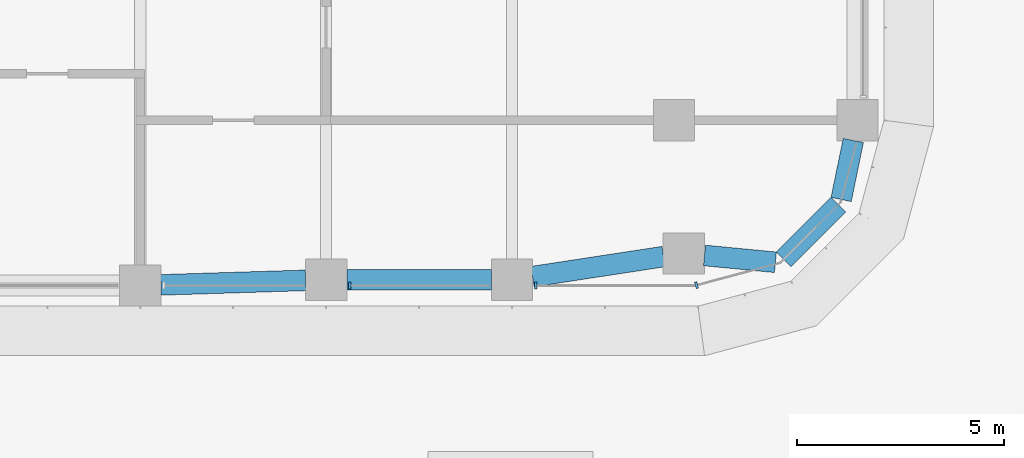
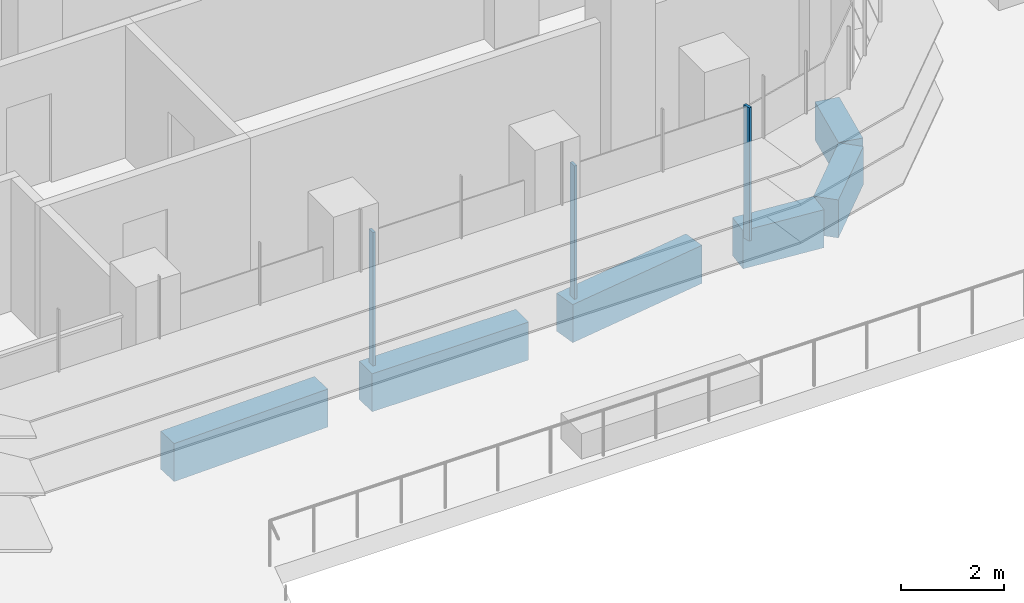
# One storey, part 5 of 26: 6 beams, 3 members, 2 elements without a shape of their own.
"""IFC4 building model written with IfcOpenShell, lengths in metres."""

from ifc_helpers import new_model, si_unit, direction, frame, origin, origin_2d, place, context, subcontext, project, spatial, polyline, rectangle, outline, extrude, source, transform, mapped, material, material_profile, profile_set, type_object, element, aggregate, save


model = new_model("IFC4")

# Units and contexts
model_context = context("Model", 3, precision=1e-05, world=origin(), true_north=direction((0.0, 1.0)))
body_context = subcontext(model_context, "Body", "Model", "MODEL_VIEW")
ifc_project = project(units=[si_unit("LENGTHUNIT", "METRE"), si_unit("AREAUNIT", "SQUARE_METRE"), si_unit("VOLUMEUNIT", "CUBIC_METRE"), si_unit("PLANEANGLEUNIT", "RADIAN"), si_unit("MASSUNIT", "GRAM", prefix="KILO")], contexts=[model_context])

# Site, building, storey
site_placement = place(None, origin())
site = spatial("IfcSite", under=ifc_project, at=site_placement, CompositionType="ELEMENT")
building_placement = place(site_placement, origin())
building = spatial("IfcBuilding", under=site, at=building_placement, Name="Zarbagh Exchange Tower", CompositionType="ELEMENT")
storey_placement = place(building_placement, frame((0.0, 0.0, 27.0)))
storey = spatial("IfcBuildingStorey", under=building, at=storey_placement, Name="L05", CompositionType="ELEMENT", Elevation=27.0)

# Beams
ifc_material_1 = material(Name="Concrete C60/75", Category="concrete")
ifc_material_profile = material_profile(ifc_material_1, rectangle(XDim=0.5, YDim=0.89990234375, at=origin_2d()), Name="RC spandrel beam 500 x 900 C60/75")
ifc_profile_set = profile_set([ifc_material_profile], Name="Concrete C60/75")
beam_type = type_object("IfcBeamType", Name="RC spandrel beam 500 x 900 C60/75", PredefinedType="SPANDREL", material=ifc_profile_set)
beam_1_placement = place(storey_placement, frame((33.0087890625, -2.73974609375, -0.60009765625), z_axis=(-0.202068589164, -0.9793713725, 0.0), x_axis=(0.9793713725, -0.202068589164, 0.0)))
element("IfcBeam", 1, at=beam_1_placement, inside=storey, type_object=beam_type, Name="RC spandrel beam", PredefinedType="SPANDREL", context=body_context, shape_type="SweptSolid", body=[
    extrude(rectangle(XDim=0.5, YDim=0.89990234375, at=origin_2d()), origin(), (0.0, 0.0, 1.0), 1.458251953125),
])
beam_2_placement = place(storey_placement, frame((32.64599609375, -4.294189453125, -0.60009765625), z_axis=(-0.707172099812, -0.707041456527, 0.0), x_axis=(0.707041456527, -0.707172099812, 0.0)))
element("IfcBeam", 2, at=beam_2_placement, inside=storey, type_object=beam_type, Name="RC spandrel beam", PredefinedType="SPANDREL", context=body_context, shape_type="SweptSolid", body=[
    extrude(rectangle(XDim=0.5, YDim=0.89990234375, at=origin_2d()), origin(), (0.0, 0.0, 1.0), 1.86865234375),
])
beam_3_placement = place(storey_placement, frame((31.123779296875, -5.6875, -0.60009765625), z_axis=(-0.995431032456, 0.095483294999, 0.0), x_axis=(-0.095483294999, -0.995431032456, 0.0)))
element("IfcBeam", 3, at=beam_3_placement, inside=storey, type_object=beam_type, Name="RC spandrel beam", PredefinedType="SPANDREL", context=body_context, shape_type="SweptSolid", body=[
    extrude(rectangle(XDim=0.5, YDim=0.89990234375, at=origin_2d()), origin(), (0.0, 0.0, 1.0), 1.725830078125),
])
beam_4_placement = place(storey_placement, frame((28.413818359375, -5.550537109375, -0.60009765625), z_axis=(-0.988545350976, -0.150924116903, 0.0), x_axis=(0.150924116903, -0.988545350976, 0.0)))
element("IfcBeam", 4, at=beam_4_placement, inside=storey, type_object=beam_type, Name="RC spandrel beam", PredefinedType="SPANDREL", context=body_context, shape_type="SweptSolid", body=[
    extrude(rectangle(XDim=0.5, YDim=0.89990234375, at=origin_2d()), origin(), (0.0, 0.0, 1.0), 3.2060546875),
])
beam_5_placement = place(storey_placement, frame((24.25, -6.110107421875, -0.60009765625), z_axis=(-1.0, 0.0, 0.0), x_axis=(0.0, -1.0, 0.0)))
element("IfcBeam", 5, at=beam_5_placement, inside=storey, type_object=beam_type, Name="RC spandrel beam", PredefinedType="SPANDREL", context=body_context, shape_type="SweptSolid", body=[
    extrude(rectangle(XDim=0.5, YDim=0.89990234375, at=origin_2d()), origin(), (0.0, 0.0, 1.0), 3.5),
])
beam_6_placement = place(storey_placement, frame((19.750244140625, -6.12548828125, -0.60009765625), z_axis=(-0.999514385708, -0.031160756759, 0.0), x_axis=(0.031160756759, -0.999514385708, 0.0)))
element("IfcBeam", 6, at=beam_6_placement, inside=storey, type_object=beam_type, Name="RC spandrel beam", PredefinedType="SPANDREL", context=body_context, shape_type="SweptSolid", body=[
    extrude(rectangle(XDim=0.5, YDim=0.89990234375, at=origin_2d()), origin(), (0.0, 0.0, 1.0), 3.502197265625),
])

# Curtain wall, members
ifc_material_2 = material(Name="Anodised aluminium frame and glazing", Category="aluminium")
curtain_wall_type = type_object("IfcCurtainWallType", Name="CWA Ribbon glazing, lower zones", PredefinedType="NOTDEFINED", material=ifc_material_2)
curtain_wall_1_placement = place(storey_placement, origin())
curtain_wall_1 = element("IfcCurtainWall", 7, at=curtain_wall_1_placement, inside=storey, type_object=curtain_wall_type, Name="CWA08 curtain wall", PredefinedType="NOTDEFINED")
ifc_material_3 = material(Name="Anodised aluminium frame", Category="aluminium")
member_type = type_object("IfcMemberType", Name="MUA Mullion, anodised aluminium frame", PredefinedType="MULLION", material=ifc_material_3)
shared_shape = source(origin(), body_context, "Body", "SweptSolid", [
    extrude(outline(polyline([(0.0, -0.080078125), (0.06005859375, -0.080078125), (0.06005859375, 0.080078125), (0.0, 0.080078125), (0.0, -0.080078125)])), origin(), (0.0, 0.0, 1.0), 3.14990234375),
])
placement = place(storey_placement, origin())
member_1 = element("IfcMember", 8, at=placement, type_object=member_type, Name="CWA08 mullion 3.1", PredefinedType="MULLION", context=body_context, shape_type="MappedRepresentation", body=[
    mapped(shared_shape, transform((20.7900390625, -6.25, 0.0), x_axis=(1.0, 0.0, 0.0), y_axis=(0.0, 1.0, 0.0), z_axis=(0.0, 0.0, 1.0))),
])
member_2 = element("IfcMember", 9, at=placement, type_object=member_type, Name="CWA08 mullion 4.1", PredefinedType="MULLION", context=body_context, shape_type="MappedRepresentation", body=[
    mapped(shared_shape, transform((25.2900390625, -6.25, 0.0), x_axis=(1.0, 0.0, 0.0), y_axis=(0.0, 1.0, 0.0), z_axis=(0.0, 0.0, 1.0))),
])
aggregate(curtain_wall_1, [member_1, member_2])

# Curtain wall, member
curtain_wall_2_placement = place(storey_placement, origin())
curtain_wall_2 = element("IfcCurtainWall", 10, at=curtain_wall_2_placement, inside=storey, type_object=curtain_wall_type, Name="CWA09 curtain wall", PredefinedType="NOTDEFINED")
member_3 = element("IfcMember", 11, at=placement, type_object=member_type, Name="CWA09 mullion 1.1", PredefinedType="MULLION", context=body_context, shape_type="MappedRepresentation", body=[
    mapped(shared_shape, transform((29.18408203125, -6.25, 0.0), x_axis=(0.965924289636, 0.258824779902, 0.0), y_axis=(-0.258824779902, 0.965924289636, 0.0), z_axis=(0.0, 0.0, 1.0))),
])
aggregate(curtain_wall_2, [member_3])

save(model, "model.ifc")
